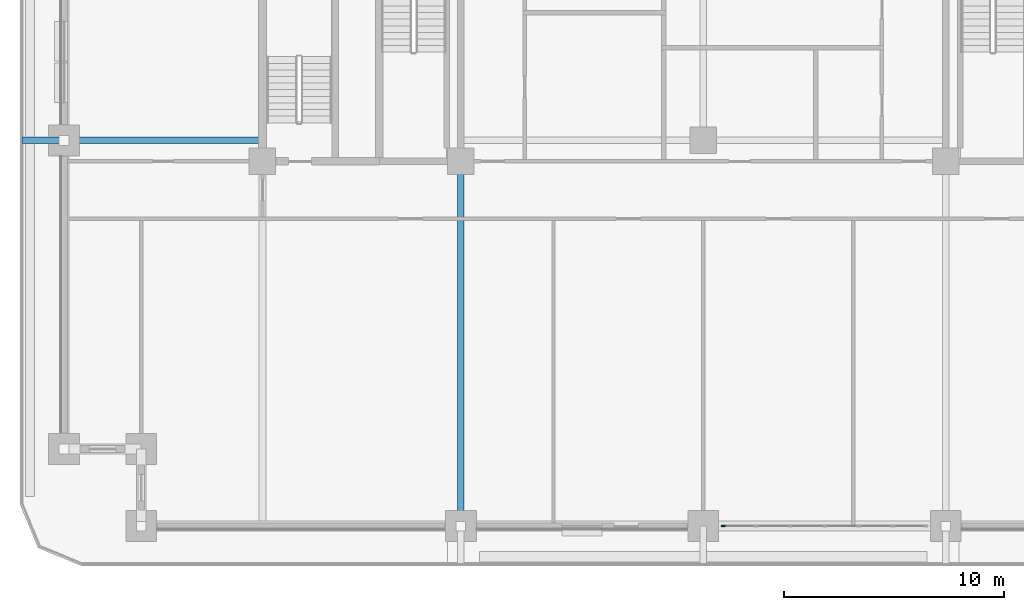
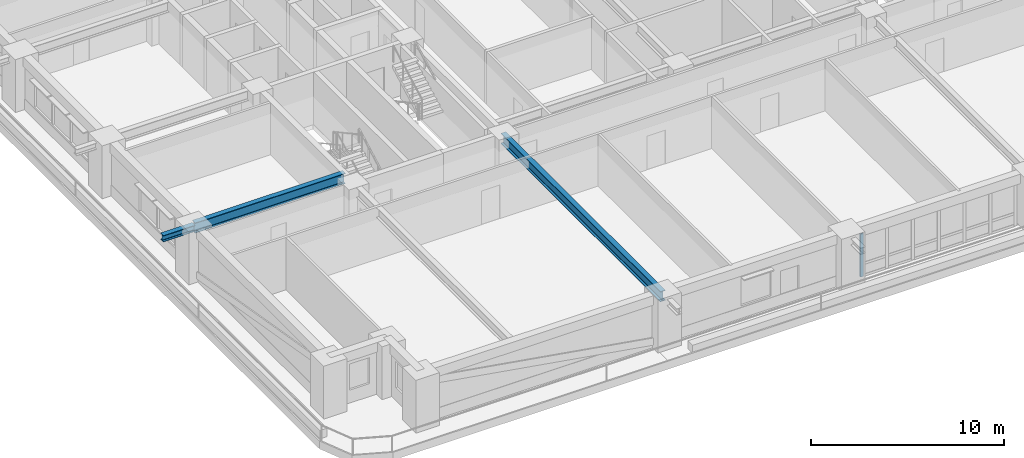
# One storey, part 2 of 20: 3 beams, 1 member, 1 element without a shape of its own.
"""IFC4 building model written with IfcOpenShell, lengths in metres."""

from ifc_helpers import new_model, si_unit, direction, frame, origin, origin_2d, place, context, subcontext, project, spatial, rectangle, i_section, extrude, material, material_profile, profile_set, type_object, element, aggregate, save


model = new_model("IFC4")

# Units and contexts
model_context = context("Model", 3, precision=1e-05, world=origin(), true_north=direction((0.0, 1.0)))
body_context = subcontext(model_context, "Body", "Model", "MODEL_VIEW")
ifc_project = project(units=[si_unit("LENGTHUNIT", "METRE"), si_unit("AREAUNIT", "SQUARE_METRE"), si_unit("VOLUMEUNIT", "CUBIC_METRE"), si_unit("PLANEANGLEUNIT", "RADIAN"), si_unit("MASSUNIT", "GRAM", prefix="KILO")], contexts=[model_context])

# Site, building, storey
site_placement = place(None, origin())
site = spatial("IfcSite", under=ifc_project, at=site_placement, CompositionType="ELEMENT")
building_placement = place(site_placement, origin())
building = spatial("IfcBuilding", under=site, at=building_placement, Name="Zulmaris Gate Convention Tower", CompositionType="ELEMENT")
storey_placement = place(building_placement, frame((0.0, 0.0, 71.469970703125)))
storey = spatial("IfcBuildingStorey", under=building, at=storey_placement, Name="L17", CompositionType="ELEMENT", Elevation=71.469970703125)

# Beams
ifc_material_1 = material(Name="Steel S355", Category="steel")
ifc_material_profile_1 = material_profile(ifc_material_1, i_section(OverallWidth=0.300048828125, OverallDepth=0.39990234375, WebThickness=0.013427734375, FlangeThickness=0.02392578125, FilletRadius=0.027099609375, at=origin_2d()), Name="HEB 400")
ifc_profile_set_1 = profile_set([ifc_material_profile_1], Name="Steel S355")
beam_type_1 = type_object("IfcBeamType", Name="BM-HEB400", PredefinedType="BEAM", material=ifc_profile_set_1)
beam_1_placement = place(storey_placement, frame((-30.89990234375, -9.0, 2.97998046875), z_axis=(1.0, 0.0, 0.0), x_axis=(0.0, 1.0, 0.0)))
element("IfcBeam", 1, at=beam_1_placement, inside=storey, type_object=beam_type_1, Name="L17 Beam TBRK-L17-W--9", PredefinedType="BEAM", context=body_context, shape_type="SweptSolid", body=[
    extrude(i_section(OverallWidth=0.300048828125, OverallDepth=0.39990234375, WebThickness=0.013427734375, FlangeThickness=0.02392578125, FilletRadius=0.027099609375, at=origin_2d()), origin(), (0.0, 0.0, 1.0), 1.89990234375),
])
ifc_material_profile_2 = material_profile(ifc_material_1, i_section(OverallWidth=0.300048828125, OverallDepth=0.64990234375, WebThickness=0.01611328125, FlangeThickness=0.031005859375, FilletRadius=0.027099609375, at=origin_2d()), Name="HEB 650")
ifc_profile_set_2 = profile_set([ifc_material_profile_2], Name="Steel S355")
beam_type_2 = type_object("IfcBeamType", Name="BM-HEB650", PredefinedType="BEAM", material=ifc_profile_set_2)
beam_2_placement = place(storey_placement, frame((-11.0, -26.5, 2.91796875), z_axis=(0.0, 1.0, 0.0), x_axis=(-1.0, 0.0, 0.0)))
element("IfcBeam", 2, at=beam_2_placement, inside=storey, type_object=beam_type_2, Name="L17 Beam BM-L17-G08", PredefinedType="BEAM", context=body_context, shape_type="SweptSolid", body=[
    extrude(i_section(OverallWidth=0.300048828125, OverallDepth=0.64990234375, WebThickness=0.01611328125, FlangeThickness=0.031005859375, FilletRadius=0.027099609375, at=origin_2d()), origin(), (0.0, 0.0, 1.0), 16.550048828125),
])
beam_3_placement = place(storey_placement, frame((-29.0, -9.0, 2.992919921875), z_axis=(1.0, 0.0, 0.0), x_axis=(0.0, 1.0, 0.0)))
element("IfcBeam", 3, at=beam_3_placement, inside=storey, type_object=beam_type_2, Name="L17 Beam BM-L17-G16", PredefinedType="BEAM", context=body_context, shape_type="SweptSolid", body=[
    extrude(i_section(OverallWidth=0.300048828125, OverallDepth=0.64990234375, WebThickness=0.01611328125, FlangeThickness=0.031005859375, FilletRadius=0.027099609375, at=origin_2d()), origin(), (0.0, 0.0, 1.0), 9.0),
])

# Curtain wall, member
ifc_material_2 = material(Name="Anodised Aluminium", Category="aluminium")
curtain_wall_type = type_object("IfcCurtainWallType", Name="CW-05", PredefinedType="NOTDEFINED", material=ifc_material_2)
curtain_wall_placement = place(storey_placement, origin())
curtain_wall = element("IfcCurtainWall", 4, at=curtain_wall_placement, inside=storey, type_object=curtain_wall_type, Name="CW-05 CW05-L17-S-2_0", PredefinedType="NOTDEFINED")
ifc_material_profile_3 = material_profile(ifc_material_2, rectangle(XDim=0.074951171875, YDim=0.179931640625, at=origin_2d()), Name="ALU MULLION 75x180")
ifc_profile_set_3 = profile_set([ifc_material_profile_3], Name="Anodised Aluminium")
member_type = type_object("IfcMemberType", Name="CW-05-MULL", PredefinedType="MULLION", material=ifc_profile_set_3)
member_placement = place(storey_placement, frame((0.8974609375, -26.5, 0.0), z_axis=(0.0, 0.0, 1.0), x_axis=(0.0, 1.0, 0.0)))
member = element("IfcMember", 5, at=member_placement, type_object=member_type, Name="CW-05 mullion 1", PredefinedType="MULLION", context=body_context, shape_type="SweptSolid", body=[
    extrude(rectangle(XDim=0.074951171875, YDim=0.179931640625, at=origin_2d()), origin(), (0.0, 0.0, 1.0), 2.7119140625),
])
aggregate(curtain_wall, [member])

save(model, "model.ifc")
